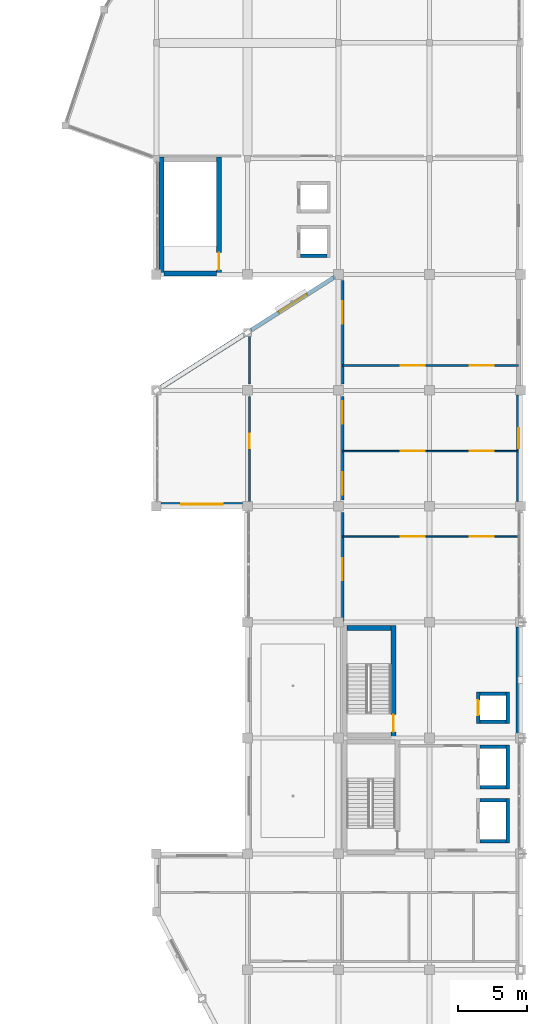
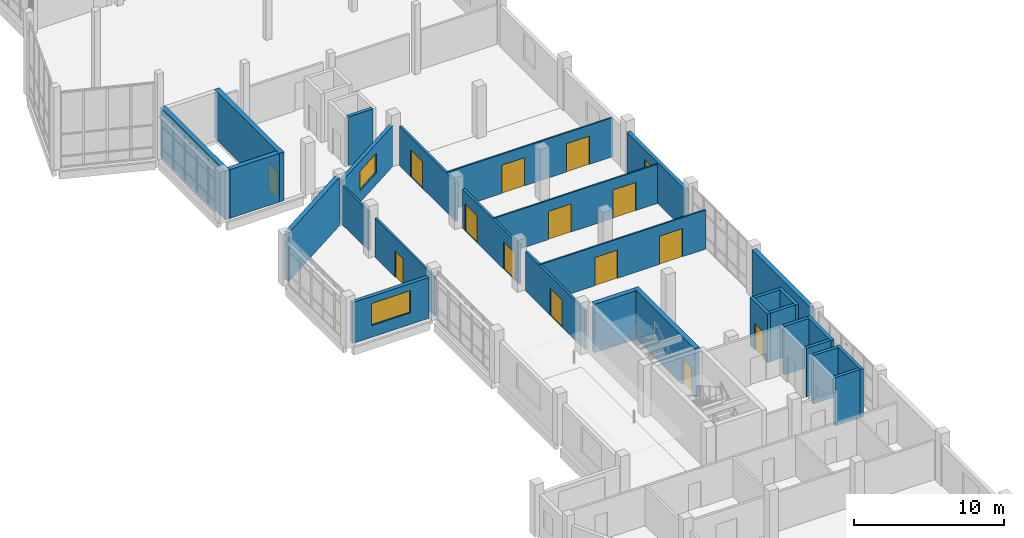
# One storey, part 62 of 78: 29 walls, 14 doors, 3 windows, 17 openings.
"""IFC4 building model written with IfcOpenShell, lengths in metres."""

from ifc_helpers import new_model, si_unit, direction, frame, frame_2d, origin, place, context, subcontext, project, spatial, rectangle, extrude, material, layer, layer_set, type_object, element, fill, save


model = new_model("IFC4")

# Units and contexts
model_context = context("Model", 3, precision=1e-05, world=origin(), true_north=direction((0.0, 1.0)))
body_context = subcontext(model_context, "Body", "Model", "MODEL_VIEW")
ifc_project = project(units=[si_unit("LENGTHUNIT", "METRE"), si_unit("AREAUNIT", "SQUARE_METRE"), si_unit("VOLUMEUNIT", "CUBIC_METRE"), si_unit("PLANEANGLEUNIT", "RADIAN"), si_unit("MASSUNIT", "GRAM", prefix="KILO")], contexts=[model_context])

# Site, building, storey
site_placement = place(None, origin())
site = spatial("IfcSite", under=ifc_project, at=site_placement, CompositionType="ELEMENT")
building_placement = place(site_placement, origin())
building = spatial("IfcBuilding", under=site, at=building_placement, Name="Qaldarim Faculty of Natural and Applied Sciences", CompositionType="ELEMENT")
storey_placement = place(building_placement, frame((0.0, 0.0, 18.60009765625)))
storey = spatial("IfcBuildingStorey", under=building, at=storey_placement, Name="L04", CompositionType="ELEMENT", Elevation=18.60009765625)

# Wall, openings, doors
ifc_material_1 = material(Name="Painted gypsum partition board")
ifc_layer_1 = layer(ifc_material_1, 0.1201171875)
ifc_layer_set_1 = layer_set([ifc_layer_1], Name="Painted gypsum partition board")
wall_type_1 = type_object("IfcWallType", Name="AcousticPartition-120", PredefinedType="PARTITIONING", material=ifc_layer_set_1)
wall_1_placement = place(storey_placement, frame((165.300048828125, 39.800048828125, 0.0), z_axis=(0.0, 0.0, 1.0), x_axis=(1.0, 0.0, 0.0)))
wall_1 = element("IfcWall", 1, at=wall_1_placement, inside=storey, type_object=wall_type_1, Name="Interior partition PRT-L04-V5-SUB-1", PredefinedType="PARTITIONING", context=body_context, shape_type="SweptSolid", body=[
    extrude(rectangle(XDim=12.75, YDim=0.1201171875, at=frame_2d((6.375, 0.0))), origin(), (0.0, 0.0, 1.0), 3.18994140625),
])
opening_1_placement = place(wall_1_placement, frame((4.199951171875, 0.0, 0.0)))
opening_1 = element("IfcOpeningElement", 2, at=opening_1_placement, cuts=wall_1, Name="Opening ID12", PredefinedType="OPENING", context=body_context, shape_type="SweptSolid", body=[
    extrude(rectangle(XDim=1.75, YDim=2.300048828125, at=frame_2d((0.875, 1.14990234375))), frame((0.0, 0.070068359375, 0.0), z_axis=(0.0, -1.0, 0.0), x_axis=(1.0, 0.0, 0.0)), (0.0, 0.0, 1.0), 0.14013671875),
])
opening_2_placement = place(wall_1_placement, frame((9.199951171875, 0.0, 0.0)))
opening_2 = element("IfcOpeningElement", 3, at=opening_2_placement, cuts=wall_1, Name="Opening ID12", PredefinedType="OPENING", context=body_context, shape_type="SweptSolid", body=[
    extrude(rectangle(XDim=1.75, YDim=2.300048828125, at=frame_2d((0.875, 1.14990234375))), frame((0.0, 0.070068359375, 0.0), z_axis=(0.0, -1.0, 0.0), x_axis=(1.0, 0.0, 0.0)), (0.0, 0.0, 1.0), 0.14013671875),
])
ifc_material_2 = material(Name="Architectural stainless steel 316", Category="steel")
door_type_1 = type_object("IfcDoorType", Name="WorkshopDoubleDoor-1750x2300", OperationType="NOTDEFINED", PredefinedType="DOOR", material=ifc_material_2)
door_1_placement = place(opening_1_placement, origin())
door_1 = element("IfcDoor", 4, at=door_1_placement, inside=storey, type_object=door_type_1, Name="Interior door D-L04-338", OperationType="SINGLE_SWING_LEFT", OverallHeight=2.300048828125, OverallWidth=1.75, PredefinedType="DOOR", context=body_context, shape_type="SweptSolid", body=[
    extrude(rectangle(XDim=1.75, YDim=2.300048828125, at=frame_2d((0.875, 1.14990234375))), frame((0.0, 0.02490234375, 0.0), z_axis=(0.0, -1.0, 0.0), x_axis=(1.0, 0.0, 0.0)), (0.0, 0.0, 1.0), 0.050048828125),
])
fill(opening_1, door_1)
door_2_placement = place(opening_2_placement, origin())
door_2 = element("IfcDoor", 5, at=door_2_placement, inside=storey, type_object=door_type_1, Name="Interior door D-L04-339", OperationType="SINGLE_SWING_RIGHT", OverallHeight=2.300048828125, OverallWidth=1.75, PredefinedType="DOOR", context=body_context, shape_type="SweptSolid", body=[
    extrude(rectangle(XDim=1.75, YDim=2.300048828125, at=frame_2d((0.875, 1.14990234375))), frame((0.0, 0.02490234375, 0.0), z_axis=(0.0, -1.0, 0.0), x_axis=(1.0, 0.0, 0.0)), (0.0, 0.0, 1.0), 0.050048828125),
])
fill(opening_2, door_2)

wall_2_placement = place(storey_placement, frame((165.300048828125, 46.0, 0.0), z_axis=(0.0, 0.0, 1.0), x_axis=(1.0, 0.0, 0.0)))
wall_2 = element("IfcWall", 6, at=wall_2_placement, inside=storey, type_object=wall_type_1, Name="Interior partition PRT-L04-V5-SUB-2", PredefinedType="PARTITIONING", context=body_context, shape_type="SweptSolid", body=[
    extrude(rectangle(XDim=12.75, YDim=0.1201171875, at=frame_2d((6.375, 0.0))), origin(), (0.0, 0.0, 1.0), 3.18994140625),
])
opening_3_placement = place(wall_2_placement, frame((4.199951171875, 0.0, 0.0)))
opening_3 = element("IfcOpeningElement", 7, at=opening_3_placement, cuts=wall_2, Name="Opening ID12", PredefinedType="OPENING", context=body_context, shape_type="SweptSolid", body=[
    extrude(rectangle(XDim=1.75, YDim=2.300048828125, at=frame_2d((0.875, 1.14990234375))), frame((0.0, 0.070068359375, 0.0), z_axis=(0.0, -1.0, 0.0), x_axis=(1.0, 0.0, 0.0)), (0.0, 0.0, 1.0), 0.14013671875),
])
opening_4_placement = place(wall_2_placement, frame((9.199951171875, 0.0, 0.0)))
opening_4 = element("IfcOpeningElement", 8, at=opening_4_placement, cuts=wall_2, Name="Opening ID12", PredefinedType="OPENING", context=body_context, shape_type="SweptSolid", body=[
    extrude(rectangle(XDim=1.75, YDim=2.300048828125, at=frame_2d((0.875, 1.14990234375))), frame((0.0, 0.070068359375, 0.0), z_axis=(0.0, -1.0, 0.0), x_axis=(1.0, 0.0, 0.0)), (0.0, 0.0, 1.0), 0.14013671875),
])
door_3_placement = place(opening_3_placement, origin())
door_3 = element("IfcDoor", 9, at=door_3_placement, inside=storey, type_object=door_type_1, Name="Interior door D-L04-340", OperationType="SINGLE_SWING_LEFT", OverallHeight=2.300048828125, OverallWidth=1.75, PredefinedType="DOOR", context=body_context, shape_type="SweptSolid", body=[
    extrude(rectangle(XDim=1.75, YDim=2.300048828125, at=frame_2d((0.875, 1.14990234375))), frame((0.0, 0.02490234375, 0.0), z_axis=(0.0, -1.0, 0.0), x_axis=(1.0, 0.0, 0.0)), (0.0, 0.0, 1.0), 0.050048828125),
])
fill(opening_3, door_3)
door_4_placement = place(opening_4_placement, origin())
door_4 = element("IfcDoor", 10, at=door_4_placement, inside=storey, type_object=door_type_1, Name="Interior door D-L04-341", OperationType="SINGLE_SWING_RIGHT", OverallHeight=2.300048828125, OverallWidth=1.75, PredefinedType="DOOR", context=body_context, shape_type="SweptSolid", body=[
    extrude(rectangle(XDim=1.75, YDim=2.300048828125, at=frame_2d((0.875, 1.14990234375))), frame((0.0, 0.02490234375, 0.0), z_axis=(0.0, -1.0, 0.0), x_axis=(1.0, 0.0, 0.0)), (0.0, 0.0, 1.0), 0.050048828125),
])
fill(opening_4, door_4)

wall_3_placement = place(storey_placement, frame((165.300048828125, 52.199951171875, 0.0), z_axis=(0.0, 0.0, 1.0), x_axis=(1.0, 0.0, 0.0)))
wall_3 = element("IfcWall", 11, at=wall_3_placement, inside=storey, type_object=wall_type_1, Name="Interior partition PRT-L04-V5-SUB-3", PredefinedType="PARTITIONING", context=body_context, shape_type="SweptSolid", body=[
    extrude(rectangle(XDim=12.75, YDim=0.1201171875, at=frame_2d((6.375, 0.0))), origin(), (0.0, 0.0, 1.0), 3.18994140625),
])
opening_5_placement = place(wall_3_placement, frame((4.199951171875, 0.0, 0.0)))
opening_5 = element("IfcOpeningElement", 12, at=opening_5_placement, cuts=wall_3, Name="Opening ID12", PredefinedType="OPENING", context=body_context, shape_type="SweptSolid", body=[
    extrude(rectangle(XDim=1.75, YDim=2.300048828125, at=frame_2d((0.875, 1.14990234375))), frame((0.0, 0.070068359375, 0.0), z_axis=(0.0, -1.0, 0.0), x_axis=(1.0, 0.0, 0.0)), (0.0, 0.0, 1.0), 0.14013671875),
])
opening_6_placement = place(wall_3_placement, frame((9.199951171875, 0.0, 0.0)))
opening_6 = element("IfcOpeningElement", 13, at=opening_6_placement, cuts=wall_3, Name="Opening ID12", PredefinedType="OPENING", context=body_context, shape_type="SweptSolid", body=[
    extrude(rectangle(XDim=1.75, YDim=2.300048828125, at=frame_2d((0.875, 1.14990234375))), frame((0.0, 0.070068359375, 0.0), z_axis=(0.0, -1.0, 0.0), x_axis=(1.0, 0.0, 0.0)), (0.0, 0.0, 1.0), 0.14013671875),
])
door_5_placement = place(opening_5_placement, origin())
door_5 = element("IfcDoor", 14, at=door_5_placement, inside=storey, type_object=door_type_1, Name="Interior door D-L04-342", OperationType="SINGLE_SWING_LEFT", OverallHeight=2.300048828125, OverallWidth=1.75, PredefinedType="DOOR", context=body_context, shape_type="SweptSolid", body=[
    extrude(rectangle(XDim=1.75, YDim=2.300048828125, at=frame_2d((0.875, 1.14990234375))), frame((0.0, 0.02490234375, 0.0), z_axis=(0.0, -1.0, 0.0), x_axis=(1.0, 0.0, 0.0)), (0.0, 0.0, 1.0), 0.050048828125),
])
fill(opening_5, door_5)
door_6_placement = place(opening_6_placement, origin())
door_6 = element("IfcDoor", 15, at=door_6_placement, inside=storey, type_object=door_type_1, Name="Interior door D-L04-343", OperationType="SINGLE_SWING_RIGHT", OverallHeight=2.300048828125, OverallWidth=1.75, PredefinedType="DOOR", context=body_context, shape_type="SweptSolid", body=[
    extrude(rectangle(XDim=1.75, YDim=2.300048828125, at=frame_2d((0.875, 1.14990234375))), frame((0.0, 0.02490234375, 0.0), z_axis=(0.0, -1.0, 0.0), x_axis=(1.0, 0.0, 0.0)), (0.0, 0.0, 1.0), 0.050048828125),
])
fill(opening_6, door_6)

# Wall, opening, door
ifc_material_3 = material(Name="Concrete C50/60", Category="concrete")
ifc_layer_2 = layer(ifc_material_3, 0.360107421875)
ifc_layer_set_2 = layer_set([ifc_layer_2], Name="Concrete C50/60")
wall_type_2 = type_object("IfcWallType", Name="CoreShearWall-360", PredefinedType="SHEAR", material=ifc_layer_set_2)
wall_4_placement = place(storey_placement, frame((168.97998046875, 25.18994140625, 0.0), z_axis=(0.0, 0.0, 1.0), x_axis=(0.0, 1.0, 0.0)))
wall_4 = element("IfcWall", 16, at=wall_4_placement, inside=storey, type_object=wall_type_2, Name="Core stair ST-A2 east shear wall L04", PredefinedType="SHEAR", context=body_context, shape_type="SweptSolid", body=[
    extrude(rectangle(XDim=8.170166015625, YDim=0.360107421875, at=frame_2d((4.0849609375, 0.0))), origin(), (0.0, 0.0, 1.0), 3.93994140625),
])
opening_7_placement = place(wall_4_placement, frame((0.449951171875, 0.0, 0.0)))
opening_7 = element("IfcOpeningElement", 17, at=opening_7_placement, cuts=wall_4, Name="Opening ID04", PredefinedType="OPENING", context=body_context, shape_type="SweptSolid", body=[
    extrude(rectangle(XDim=1.25, YDim=2.14990234375, at=frame_2d((0.625, 1.074951171875))), frame((0.0, 0.18994140625, 0.0), z_axis=(0.0, -1.0, 0.0), x_axis=(1.0, 0.0, 0.0)), (0.0, 0.0, 1.0), 0.380126953125),
])
door_type_2 = type_object("IfcDoorType", Name="StairEnclosureFireDoor-1250x2150", OperationType="NOTDEFINED", PredefinedType="DOOR", material=ifc_material_2)
door_7_placement = place(opening_7_placement, origin())
door_7 = element("IfcDoor", 18, at=door_7_placement, inside=storey, type_object=door_type_2, Name="Protected stair ST-A2 fire door D-L04-518", OperationType="SINGLE_SWING_RIGHT", OverallHeight=2.14990234375, OverallWidth=1.25, PredefinedType="DOOR", context=body_context, shape_type="SweptSolid", body=[
    extrude(rectangle(XDim=1.25, YDim=2.14990234375, at=frame_2d((0.625, 1.074951171875))), frame((0.0, 0.02490234375, 0.0), z_axis=(0.0, -1.0, 0.0), x_axis=(1.0, 0.0, 0.0)), (0.0, 0.0, 1.0), 0.050048828125),
])
fill(opening_7, door_7)

# Walls
wall_5_placement = place(storey_placement, frame((165.60009765625, 33.179931640625, 0.0), z_axis=(0.0, 0.0, 1.0), x_axis=(1.0, 0.0, 0.0)))
element("IfcWall", 19, at=wall_5_placement, inside=storey, type_object=wall_type_2, Name="Core stair ST-A2 north shear wall L04", PredefinedType="SHEAR", context=body_context, shape_type="SweptSolid", body=[
    extrude(rectangle(XDim=3.199951171875, YDim=0.360107421875, at=frame_2d((1.60009765625, 0.0))), origin(), (0.0, 0.0, 1.0), 3.93994140625),
])
wall_6_placement = place(storey_placement, frame((152.169921875, 58.68994140625, 0.0), z_axis=(0.0, 0.0, 1.0), x_axis=(0.0, 1.0, 0.0)))
element("IfcWall", 20, at=wall_6_placement, inside=storey, type_object=wall_type_2, Name="Core stair ST-C1 west shear wall L04", PredefinedType="SHEAR", context=body_context, shape_type="SweptSolid", body=[
    extrude(rectangle(XDim=8.6201171875, YDim=0.360107421875, at=frame_2d((4.31005859375, 0.0))), origin(), (0.0, 0.0, 1.0), 3.9599609375),
])

# Wall, opening, door
wall_7_placement = place(storey_placement, frame((156.330078125, 58.68994140625, 0.0), z_axis=(0.0, 0.0, 1.0), x_axis=(0.0, 1.0, 0.0)))
wall_7 = element("IfcWall", 21, at=wall_7_placement, inside=storey, type_object=wall_type_2, Name="Core stair ST-C1 east shear wall L04", PredefinedType="SHEAR", context=body_context, shape_type="SweptSolid", body=[
    extrude(rectangle(XDim=8.6201171875, YDim=0.360107421875, at=frame_2d((4.31005859375, 0.0))), origin(), (0.0, 0.0, 1.0), 3.9599609375),
])
opening_8_placement = place(wall_7_placement, frame((0.449951171875, 0.0, 0.0)))
opening_8 = element("IfcOpeningElement", 22, at=opening_8_placement, cuts=wall_7, Name="Opening ID04", PredefinedType="OPENING", context=body_context, shape_type="SweptSolid", body=[
    extrude(rectangle(XDim=1.25, YDim=2.14990234375, at=frame_2d((0.625, 1.074951171875))), frame((0.0, 0.18994140625, 0.0), z_axis=(0.0, -1.0, 0.0), x_axis=(1.0, 0.0, 0.0)), (0.0, 0.0, 1.0), 0.380126953125),
])
door_8_placement = place(opening_8_placement, origin())
door_8 = element("IfcDoor", 23, at=door_8_placement, inside=storey, type_object=door_type_2, Name="Protected stair ST-C1 fire door D-L04-543", OperationType="SINGLE_SWING_RIGHT", OverallHeight=2.14990234375, OverallWidth=1.25, PredefinedType="DOOR", context=body_context, shape_type="SweptSolid", body=[
    extrude(rectangle(XDim=1.25, YDim=2.14990234375, at=frame_2d((0.625, 1.074951171875))), frame((0.0, 0.02490234375, 0.0), z_axis=(0.0, -1.0, 0.0), x_axis=(1.0, 0.0, 0.0)), (0.0, 0.0, 1.0), 0.050048828125),
])
fill(opening_8, door_8)

# Wall
wall_8_placement = place(storey_placement, frame((152.35009765625, 58.8701171875, 0.0), z_axis=(0.0, 0.0, 1.0), x_axis=(1.0, 0.0, 0.0)))
element("IfcWall", 24, at=wall_8_placement, inside=storey, type_object=wall_type_2, Name="Core stair ST-C1 south shear wall L04", PredefinedType="SHEAR", context=body_context, shape_type="SweptSolid", body=[
    extrude(rectangle(XDim=3.7998046875, YDim=0.360107421875, at=frame_2d((1.89990234375, 0.0))), origin(), (0.0, 0.0, 1.0), 3.9599609375),
])

# Wall, opening, window
ifc_material_4 = material(Name="Precast concrete C40/50", Category="concrete")
ifc_layer_3 = layer(ifc_material_4, 0.280029296875)
ifc_layer_set_3 = layer_set([ifc_layer_3], Name="Precast concrete C40/50")
wall_type_3 = type_object("IfcWallType", Name="ExteriorSpandrelWall-280", PredefinedType="SOLIDWALL", material=ifc_layer_set_3)
wall_9_placement = place(storey_placement, frame((152.14501953125, 42.139892578125, 0.0), z_axis=(0.0, 0.0, 1.0), x_axis=(1.0, 0.0, 0.0)))
wall_9 = element("IfcWall", 25, at=wall_9_placement, inside=storey, type_object=wall_type_3, Name="Exterior wall EW02 L04 S X24Y06", PredefinedType="SOLIDWALL", context=body_context, shape_type="SweptSolid", body=[
    extrude(rectangle(XDim=5.909912109375, YDim=0.280029296875, at=frame_2d((2.955078125, 0.0))), origin(), (0.0, 0.0, 1.0), 3.324951171875),
])
opening_9_placement = place(wall_9_placement, frame((1.455078125, 0.0, 0.949951171875)))
opening_9 = element("IfcOpeningElement", 26, at=opening_9_placement, cuts=wall_9, Name="Opening WN04", PredefinedType="OPENING", context=body_context, shape_type="SweptSolid", body=[
    extrude(rectangle(XDim=3.0, YDim=1.800048828125, at=frame_2d((1.5, 0.89990234375))), frame((0.0, 0.14990234375, 0.0), z_axis=(0.0, -1.0, 0.0), x_axis=(1.0, 0.0, 0.0)), (0.0, 0.0, 1.0), 0.300048828125),
])
ifc_material_5 = material(Name="Insulated low-e double glazing", Category="glass")
window_type_1 = type_object("IfcWindowType", Name="Window-3000x1800", PartitioningType="TRIPLE_PANEL_VERTICAL", PredefinedType="WINDOW", material=ifc_material_5)
window_1_placement = place(opening_9_placement, origin())
window_1 = element("IfcWindow", 27, at=window_1_placement, inside=storey, type_object=window_type_1, Name="Facade window WN04 L04 S X24Y06", OverallHeight=1.800048828125, OverallWidth=3.0, PartitioningType="SINGLE_PANEL", PredefinedType="WINDOW", context=body_context, shape_type="SweptSolid", body=[
    extrude(rectangle(XDim=3.0, YDim=1.800048828125, at=frame_2d((1.5, 0.89990234375))), frame((0.0, 0.030029296875, 0.0), z_axis=(0.0, -1.0, 0.0), x_axis=(1.0, 0.0, 0.0)), (0.0, 0.0, 1.0), 0.06005859375),
])
fill(opening_9, window_1)

wall_10_placement = place(storey_placement, frame((178.06005859375, 42.344970703125, 0.0), z_axis=(0.0, 0.0, 1.0), x_axis=(0.0, 1.0, 0.0)))
wall_10 = element("IfcWall", 28, at=wall_10_placement, inside=storey, type_object=wall_type_3, Name="Exterior wall EW02 L04 E X27Y06", PredefinedType="SOLIDWALL", context=body_context, shape_type="SweptSolid", body=[
    extrude(rectangle(XDim=7.7099609375, YDim=0.280029296875, at=frame_2d((3.85498046875, 0.0))), origin(), (0.0, 0.0, 1.0), 3.324951171875),
])
opening_10_placement = place(wall_10_placement, frame((3.875, 0.0, 0.949951171875)))
opening_10 = element("IfcOpeningElement", 29, at=opening_10_placement, cuts=wall_10, Name="Opening WN32", PredefinedType="OPENING", context=body_context, shape_type="SweptSolid", body=[
    extrude(rectangle(XDim=1.449951171875, YDim=1.60009765625, at=frame_2d((0.72509765625, 0.800048828125))), frame((0.0, 0.14990234375, 0.0), z_axis=(0.0, -1.0, 0.0), x_axis=(1.0, 0.0, 0.0)), (0.0, 0.0, 1.0), 0.300048828125),
])
window_type_2 = type_object("IfcWindowType", Name="SeminarWindow-1450x1600", PartitioningType="DOUBLE_PANEL_VERTICAL", PredefinedType="WINDOW", material=ifc_material_5)
window_2_placement = place(opening_10_placement, origin())
window_2 = element("IfcWindow", 30, at=window_2_placement, inside=storey, type_object=window_type_2, Name="Facade window WN32 L04 E X27Y06", OverallHeight=1.60009765625, OverallWidth=1.449951171875, PartitioningType="SINGLE_PANEL", PredefinedType="WINDOW", context=body_context, shape_type="SweptSolid", body=[
    extrude(rectangle(XDim=1.449951171875, YDim=1.60009765625, at=frame_2d((0.72509765625, 0.800048828125))), frame((0.0, 0.030029296875, 0.0), z_axis=(0.0, -1.0, 0.0), x_axis=(1.0, 0.0, 0.0)), (0.0, 0.0, 1.0), 0.06005859375),
])
fill(opening_10, window_2)

wall_11_placement = place(storey_placement, frame((158.64990234375, 54.760009765625, 0.0), z_axis=(0.0, 0.0, 1.0), x_axis=(0.843786613851, 0.536678814829, 0.0)))
wall_11 = element("IfcWall", 31, at=wall_11_placement, inside=storey, type_object=wall_type_3, Name="Oblique NW chamfer fenestrated wall L04 2", PredefinedType="SOLIDWALL", context=body_context, shape_type="SweptSolid", body=[
    extrude(rectangle(XDim=7.2294921875, YDim=0.280029296875, at=frame_2d((3.61474609375, 0.0))), origin(), (0.0, 0.0, 1.0), 3.324951171875),
])
opening_11_placement = place(wall_11_placement, frame((2.4150390625, 0.0, 0.949951171875)))
opening_11 = element("IfcOpeningElement", 32, at=opening_11_placement, cuts=wall_11, Name="Opening WN03", PredefinedType="OPENING", context=body_context, shape_type="SweptSolid", body=[
    extrude(rectangle(XDim=2.39990234375, YDim=1.60009765625, at=frame_2d((1.199951171875, 0.800048828125))), frame((0.0, 0.14990234375, 0.0), z_axis=(0.0, -1.0, 0.0), x_axis=(1.0, 0.0, 0.0)), (0.0, 0.0, 1.0), 0.300048828125),
])
window_type_3 = type_object("IfcWindowType", Name="Window-2400x1600", PartitioningType="TRIPLE_PANEL_VERTICAL", PredefinedType="WINDOW", material=ifc_material_5)
window_3_placement = place(opening_11_placement, origin())
window_3 = element("IfcWindow", 33, at=window_3_placement, inside=storey, type_object=window_type_3, Name="Oblique NW chamfer window L04 2", OverallHeight=1.60009765625, OverallWidth=2.39990234375, PartitioningType="SINGLE_PANEL", PredefinedType="WINDOW", context=body_context, shape_type="SweptSolid", body=[
    extrude(rectangle(XDim=2.39990234375, YDim=1.60009765625, at=frame_2d((1.199951171875, 0.800048828125))), frame((0.0, 0.030029296875, 0.0), z_axis=(0.0, -1.0, 0.0), x_axis=(1.0, 0.0, 0.0)), (0.0, 0.0, 1.0), 0.06005859375),
])
fill(opening_11, window_3)

# Walls
ifc_layer_4 = layer(ifc_material_3, 0.340087890625)
ifc_layer_set_4 = layer_set([ifc_layer_4], Name="Concrete C50/60")
wall_type_4 = type_object("IfcWallType", Name="ExteriorStairShearWall-340", PredefinedType="SHEAR", material=ifc_layer_set_4)
wall_12_placement = place(storey_placement, frame((178.030029296875, 25.544921875, 0.0), z_axis=(0.0, 0.0, 1.0), x_axis=(0.0, 1.0, 0.0)))
element("IfcWall", 34, at=wall_12_placement, inside=storey, type_object=wall_type_4, Name="Exterior wall EW05 L04 E X27Y04", PredefinedType="SHEAR", context=body_context, shape_type="SweptSolid", body=[
    extrude(rectangle(XDim=7.7099609375, YDim=0.340087890625, at=frame_2d((3.85498046875, 0.0))), origin(), (0.0, 0.0, 1.0), 3.93994140625),
])
wall_13_placement = place(storey_placement, frame((152.050048828125, 50.56005859375, 0.0), z_axis=(0.0, 0.0, 1.0), x_axis=(0.843776886751, 0.536694107835, 0.0)))
element("IfcWall", 35, at=wall_13_placement, inside=storey, type_object=wall_type_4, Name="Oblique NW chamfer braced wall L04 1", PredefinedType="SHEAR", context=body_context, shape_type="SweptSolid", body=[
    extrude(rectangle(XDim=7.229248046875, YDim=0.340087890625, at=frame_2d((3.61474609375, 0.0))), origin(), (0.0, 0.0, 1.0), 3.93994140625),
])

# Wall, opening, door
ifc_material_6 = material(Name="Concrete C40/50", Category="concrete")
ifc_layer_5 = layer(ifc_material_6, 0.159912109375)
ifc_layer_set_5 = layer_set([ifc_layer_5], Name="Concrete C40/50")
wall_type_5 = type_object("IfcWallType", Name="FireCorridorWall-160", PredefinedType="PARTITIONING", material=ifc_layer_set_5)
wall_14_placement = place(storey_placement, frame((158.550048828125, 42.0, 0.0), z_axis=(0.0, 0.0, 1.0), x_axis=(0.0, 1.0, 0.0)))
wall_14 = element("IfcWall", 36, at=wall_14_placement, inside=storey, type_object=wall_type_5, Name="Interior partition PRT-L04-V5-NWSE-S1", PredefinedType="PARTITIONING", context=body_context, shape_type="SweptSolid", body=[
    extrude(rectangle(XDim=7.949951171875, YDim=0.159912109375, at=frame_2d((3.97509765625, 0.0))), origin(), (0.0, 0.0, 1.0), 3.18994140625),
])
opening_12_placement = place(wall_14_placement, frame((4.199951171875, 0.0, 0.0)))
opening_12 = element("IfcOpeningElement", 37, at=opening_12_placement, cuts=wall_14, Name="Opening ID02", PredefinedType="OPENING", context=body_context, shape_type="SweptSolid", body=[
    extrude(rectangle(XDim=1.050048828125, YDim=2.14990234375, at=frame_2d((0.52490234375, 1.074951171875))), frame((0.0, 0.08984375, 0.0), z_axis=(0.0, -1.0, 0.0), x_axis=(1.0, 0.0, 0.0)), (0.0, 0.0, 1.0), 0.179931640625),
])
ifc_material_7 = material(Name="Oak hardwood", Category="wood")
door_type_3 = type_object("IfcDoorType", Name="AccessibleRoomDoor-1050x2150", OperationType="NOTDEFINED", PredefinedType="DOOR", material=ifc_material_7)
door_9_placement = place(opening_12_placement, origin())
door_9 = element("IfcDoor", 38, at=door_9_placement, inside=storey, type_object=door_type_3, Name="Interior door D-L04-399", OperationType="SINGLE_SWING_LEFT", OverallHeight=2.14990234375, OverallWidth=1.050048828125, PredefinedType="DOOR", context=body_context, shape_type="SweptSolid", body=[
    extrude(rectangle(XDim=1.050048828125, YDim=2.14990234375, at=frame_2d((0.52490234375, 1.074951171875))), frame((0.0, 0.02490234375, 0.0), z_axis=(0.0, -1.0, 0.0), x_axis=(1.0, 0.0, 0.0)), (0.0, 0.0, 1.0), 0.050048828125),
])
fill(opening_12, door_9)

# Wall
wall_15_placement = place(storey_placement, frame((158.550048828125, 50.85009765625, 0.0), z_axis=(0.0, 0.0, 1.0), x_axis=(0.0, 1.0, 0.0)))
element("IfcWall", 39, at=wall_15_placement, inside=storey, type_object=wall_type_5, Name="Interior partition PRT-L04-V5-NWSE-S2", PredefinedType="PARTITIONING", context=body_context, shape_type="SweptSolid", body=[
    extrude(rectangle(XDim=3.7998046875, YDim=0.159912109375, at=frame_2d((1.89990234375, 0.0))), origin(), (0.0, 0.0, 1.0), 3.18994140625),
])

# Wall, opening, door
ifc_layer_6 = layer(ifc_material_6, 0.179931640625)
ifc_layer_set_6 = layer_set([ifc_layer_6], Name="Concrete C40/50")
wall_type_6 = type_object("IfcWallType", Name="LabFireCompartmentWall-180", PredefinedType="SOLIDWALL", material=ifc_layer_set_6)
wall_16_placement = place(storey_placement, frame((165.300048828125, 33.64990234375, 0.0), z_axis=(0.0, 0.0, 1.0), x_axis=(0.0, 1.0, 0.0)))
wall_16 = element("IfcWall", 40, at=wall_16_placement, inside=storey, type_object=wall_type_6, Name="Interior partition PRT-L04-V5-NANW-S1", PredefinedType="SOLIDWALL", context=body_context, shape_type="SweptSolid", body=[
    extrude(rectangle(XDim=7.900146484375, YDim=0.179931640625, at=frame_2d((3.9501953125, 0.0))), origin(), (0.0, 0.0, 1.0), 3.18994140625),
])
opening_13_placement = place(wall_16_placement, frame((3.0, 0.0, 0.0)))
opening_13 = element("IfcOpeningElement", 41, at=opening_13_placement, cuts=wall_16, Name="Opening ID06", PredefinedType="OPENING", context=body_context, shape_type="SweptSolid", body=[
    extrude(rectangle(XDim=1.60009765625, YDim=2.199951171875, at=frame_2d((0.800048828125, 1.10009765625))), frame((0.0, 0.099853515625, 0.0), z_axis=(0.0, -1.0, 0.0), x_axis=(1.0, 0.0, 0.0)), (0.0, 0.0, 1.0), 0.199951171875),
])
door_type_4 = type_object("IfcDoorType", Name="LabEquipmentDoubleDoor-1600x2200", OperationType="NOTDEFINED", PredefinedType="DOOR", material=ifc_material_2)
door_10_placement = place(opening_13_placement, origin())
door_10 = element("IfcDoor", 42, at=door_10_placement, inside=storey, type_object=door_type_4, Name="Interior door D-L04-251", OperationType="DOUBLE_DOOR_SINGLE_SWING", OverallHeight=2.199951171875, OverallWidth=1.60009765625, PredefinedType="DOOR", context=body_context, shape_type="SweptSolid", body=[
    extrude(rectangle(XDim=1.60009765625, YDim=2.199951171875, at=frame_2d((0.800048828125, 1.10009765625))), frame((0.0, 0.02490234375, 0.0), z_axis=(0.0, -1.0, 0.0), x_axis=(1.0, 0.0, 0.0)), (0.0, 0.0, 1.0), 0.050048828125),
])
fill(opening_13, door_10)

# Wall, openings, doors
wall_17_placement = place(storey_placement, frame((165.300048828125, 42.449951171875, 0.0), z_axis=(0.0, 0.0, 1.0), x_axis=(0.0, 1.0, 0.0)))
wall_17 = element("IfcWall", 43, at=wall_17_placement, inside=storey, type_object=wall_type_6, Name="Interior partition PRT-L04-V5-NANW-S2", PredefinedType="SOLIDWALL", context=body_context, shape_type="SweptSolid", body=[
    extrude(rectangle(XDim=7.5, YDim=0.179931640625, at=frame_2d((3.75, 0.0))), origin(), (0.0, 0.0, 1.0), 3.18994140625),
])
opening_14_placement = place(wall_17_placement, frame((0.39990234375, 0.0, 0.0)))
opening_14 = element("IfcOpeningElement", 44, at=opening_14_placement, cuts=wall_17, Name="Opening ID06", PredefinedType="OPENING", context=body_context, shape_type="SweptSolid", body=[
    extrude(rectangle(XDim=1.60009765625, YDim=2.199951171875, at=frame_2d((0.800048828125, 1.10009765625))), frame((0.0, 0.099853515625, 0.0), z_axis=(0.0, -1.0, 0.0), x_axis=(1.0, 0.0, 0.0)), (0.0, 0.0, 1.0), 0.199951171875),
])
opening_15_placement = place(wall_17_placement, frame((5.550048828125, 0.0, 0.0)))
opening_15 = element("IfcOpeningElement", 45, at=opening_15_placement, cuts=wall_17, Name="Opening ID06", PredefinedType="OPENING", context=body_context, shape_type="SweptSolid", body=[
    extrude(rectangle(XDim=1.60009765625, YDim=2.199951171875, at=frame_2d((0.800048828125, 1.10009765625))), frame((0.0, 0.099853515625, 0.0), z_axis=(0.0, -1.0, 0.0), x_axis=(1.0, 0.0, 0.0)), (0.0, 0.0, 1.0), 0.199951171875),
])
door_11_placement = place(opening_14_placement, origin())
door_11 = element("IfcDoor", 46, at=door_11_placement, inside=storey, type_object=door_type_4, Name="Interior door D-L04-252", OperationType="DOUBLE_DOOR_SINGLE_SWING", OverallHeight=2.199951171875, OverallWidth=1.60009765625, PredefinedType="DOOR", context=body_context, shape_type="SweptSolid", body=[
    extrude(rectangle(XDim=1.60009765625, YDim=2.199951171875, at=frame_2d((0.800048828125, 1.10009765625))), frame((0.0, 0.02490234375, 0.0), z_axis=(0.0, -1.0, 0.0), x_axis=(1.0, 0.0, 0.0)), (0.0, 0.0, 1.0), 0.050048828125),
])
fill(opening_14, door_11)
door_12_placement = place(opening_15_placement, origin())
door_12 = element("IfcDoor", 47, at=door_12_placement, inside=storey, type_object=door_type_4, Name="Interior door D-L04-253", OperationType="DOUBLE_DOOR_SINGLE_SWING", OverallHeight=2.199951171875, OverallWidth=1.60009765625, PredefinedType="DOOR", context=body_context, shape_type="SweptSolid", body=[
    extrude(rectangle(XDim=1.60009765625, YDim=2.199951171875, at=frame_2d((0.800048828125, 1.10009765625))), frame((0.0, 0.02490234375, 0.0), z_axis=(0.0, -1.0, 0.0), x_axis=(1.0, 0.0, 0.0)), (0.0, 0.0, 1.0), 0.050048828125),
])
fill(opening_15, door_12)

# Wall, opening, door
wall_18_placement = place(storey_placement, frame((165.300048828125, 50.85009765625, 0.0), z_axis=(0.0, 0.0, 1.0), x_axis=(0.0, 1.0, 0.0)))
wall_18 = element("IfcWall", 48, at=wall_18_placement, inside=storey, type_object=wall_type_6, Name="Interior partition PRT-L04-V5-NANW-S3", PredefinedType="SOLIDWALL", context=body_context, shape_type="SweptSolid", body=[
    extrude(rectangle(XDim=7.52978515625, YDim=0.179931640625, at=frame_2d((3.764892578125, 0.0))), origin(), (0.0, 0.0, 1.0), 3.18994140625),
])
opening_16_placement = place(wall_18_placement, frame((4.39990234375, 0.0, 0.0)))
opening_16 = element("IfcOpeningElement", 49, at=opening_16_placement, cuts=wall_18, Name="Opening ID06", PredefinedType="OPENING", context=body_context, shape_type="SweptSolid", body=[
    extrude(rectangle(XDim=1.60009765625, YDim=2.199951171875, at=frame_2d((0.800048828125, 1.10009765625))), frame((0.0, 0.099853515625, 0.0), z_axis=(0.0, -1.0, 0.0), x_axis=(1.0, 0.0, 0.0)), (0.0, 0.0, 1.0), 0.199951171875),
])
door_13_placement = place(opening_16_placement, origin())
door_13 = element("IfcDoor", 50, at=door_13_placement, inside=storey, type_object=door_type_4, Name="Interior door D-L04-254", OperationType="DOUBLE_DOOR_SINGLE_SWING", OverallHeight=2.199951171875, OverallWidth=1.60009765625, PredefinedType="DOOR", context=body_context, shape_type="SweptSolid", body=[
    extrude(rectangle(XDim=1.60009765625, YDim=2.199951171875, at=frame_2d((0.800048828125, 1.10009765625))), frame((0.0, 0.02490234375, 0.0), z_axis=(0.0, -1.0, 0.0), x_axis=(1.0, 0.0, 0.0)), (0.0, 0.0, 1.0), 0.050048828125),
])
fill(opening_16, door_13)

# Walls
ifc_layer_7 = layer(ifc_material_6, 0.25)
ifc_layer_set_7 = layer_set([ifc_layer_7], Name="Concrete C40/50")
wall_type_7 = type_object("IfcWallType", Name="LiftShaftWall-250", PredefinedType="SHEAR", material=ifc_layer_set_7)
wall_19_placement = place(storey_placement, frame((177.27490234375, 17.60009765625, 0.0), z_axis=(0.0, 0.0, 1.0), x_axis=(0.0, 1.0, 0.0)))
element("IfcWall", 51, at=wall_19_placement, inside=storey, type_object=wall_type_7, Name="Lift LF-A1 rear shaft wall L04", PredefinedType="SHEAR", context=body_context, shape_type="SweptSolid", body=[
    extrude(rectangle(XDim=3.199951171875, YDim=0.25, at=frame_2d((1.60009765625, 0.0))), origin(), (0.0, 0.0, 1.0), 3.93994140625),
])
for number, where, z_axis, x_axis, name in (
    (52, (175.25, 17.72509765625, 0.0), (0.0, 0.0, 1.0), (1.0, 0.0, 0.0), "Lift LF-A1 south shaft wall L04"),
    (53, (175.25, 20.675048828125, 0.0), (0.0, 0.0, 1.0), (1.0, 0.0, 0.0), "Lift LF-A1 north shaft wall L04"),
):
    element("IfcWall", number, at=place(storey_placement, frame(where, z_axis=z_axis, x_axis=x_axis)), inside=storey, type_object=wall_type_7, Name=name, PredefinedType="SHEAR", context=body_context, shape_type="SweptSolid", body=[
        extrude(rectangle(XDim=1.89990234375, YDim=0.25, at=frame_2d((0.949951171875, 0.0))), origin(), (0.0, 0.0, 1.0), 3.93994140625),
    ])
wall_20_placement = place(storey_placement, frame((177.27490234375, 21.5, 0.0), z_axis=(0.0, 0.0, 1.0), x_axis=(0.0, 1.0, 0.0)))
element("IfcWall", 54, at=wall_20_placement, inside=storey, type_object=wall_type_7, Name="Lift LF-A2 rear shaft wall L04", PredefinedType="SHEAR", context=body_context, shape_type="SweptSolid", body=[
    extrude(rectangle(XDim=3.199951171875, YDim=0.25, at=frame_2d((1.60009765625, 0.0))), origin(), (0.0, 0.0, 1.0), 3.93994140625),
])
for number, where, z_axis, x_axis, name in (
    (55, (175.25, 21.625, 0.0), (0.0, 0.0, 1.0), (1.0, 0.0, 0.0), "Lift LF-A2 south shaft wall L04"),
    (56, (175.25, 24.574951171875, 0.0), (0.0, 0.0, 1.0), (1.0, 0.0, 0.0), "Lift LF-A2 north shaft wall L04"),
):
    element("IfcWall", number, at=place(storey_placement, frame(where, z_axis=z_axis, x_axis=x_axis)), inside=storey, type_object=wall_type_7, Name=name, PredefinedType="SHEAR", context=body_context, shape_type="SweptSolid", body=[
        extrude(rectangle(XDim=1.89990234375, YDim=0.25, at=frame_2d((0.949951171875, 0.0))), origin(), (0.0, 0.0, 1.0), 3.93994140625),
    ])

# Wall, opening, door
wall_21_placement = place(storey_placement, frame((175.125, 26.25, 0.0), z_axis=(0.0, 0.0, 1.0), x_axis=(0.0, 1.0, 0.0)))
wall_21 = element("IfcWall", 57, at=wall_21_placement, inside=storey, type_object=wall_type_7, Name="Lift LF-A3 front shaft wall L04", PredefinedType="SHEAR", context=body_context, shape_type="SweptSolid", body=[
    extrude(rectangle(XDim=2.300048828125, YDim=0.25, at=frame_2d((1.14990234375, 0.0))), origin(), (0.0, 0.0, 1.0), 3.93994140625),
])
opening_17_placement = place(wall_21_placement, frame((0.60009765625, 0.0, 0.0)))
opening_17 = element("IfcOpeningElement", 58, at=opening_17_placement, cuts=wall_21, Name="Opening LD01", PredefinedType="OPENING", context=body_context, shape_type="SweptSolid", body=[
    extrude(rectangle(XDim=1.10009765625, YDim=2.14990234375, at=frame_2d((0.550048828125, 1.074951171875))), frame((0.0, 0.135009765625, 0.0), z_axis=(0.0, -1.0, 0.0), x_axis=(1.0, 0.0, 0.0)), (0.0, 0.0, 1.0), 0.27001953125),
])
door_type_5 = type_object("IfcDoorType", Name="LiftLandingSlidingDoor-1100x2150", OperationType="NOTDEFINED", PredefinedType="DOOR", material=ifc_material_2)
door_14_placement = place(opening_17_placement, origin())
door_14 = element("IfcDoor", 59, at=door_14_placement, inside=storey, type_object=door_type_5, Name="Lift landing sliding door LF-A3 D-L04-588", OperationType="SLIDING_TO_LEFT", OverallHeight=2.14990234375, OverallWidth=1.10009765625, PredefinedType="DOOR", context=body_context, shape_type="SweptSolid", body=[
    extrude(rectangle(XDim=1.10009765625, YDim=2.14990234375, at=frame_2d((0.550048828125, 1.074951171875))), frame((0.0, 0.02490234375, 0.0), z_axis=(0.0, -1.0, 0.0), x_axis=(1.0, 0.0, 0.0)), (0.0, 0.0, 1.0), 0.050048828125),
])
fill(opening_17, door_14)

# Walls
wall_22_placement = place(storey_placement, frame((177.27490234375, 26.25, 0.0), z_axis=(0.0, 0.0, 1.0), x_axis=(0.0, 1.0, 0.0)))
element("IfcWall", 60, at=wall_22_placement, inside=storey, type_object=wall_type_7, Name="Lift LF-A3 rear shaft wall L04", PredefinedType="SHEAR", context=body_context, shape_type="SweptSolid", body=[
    extrude(rectangle(XDim=2.300048828125, YDim=0.25, at=frame_2d((1.14990234375, 0.0))), origin(), (0.0, 0.0, 1.0), 3.93994140625),
])
for number, where, z_axis, x_axis, name in (
    (61, (175.25, 26.375, 0.0), (0.0, 0.0, 1.0), (1.0, 0.0, 0.0), "Lift LF-A3 south shaft wall L04"),
    (62, (175.25, 28.425048828125, 0.0), (0.0, 0.0, 1.0), (1.0, 0.0, 0.0), "Lift LF-A3 north shaft wall L04"),
):
    element("IfcWall", number, at=place(storey_placement, frame(where, z_axis=z_axis, x_axis=x_axis)), inside=storey, type_object=wall_type_7, Name=name, PredefinedType="SHEAR", context=body_context, shape_type="SweptSolid", body=[
        extrude(rectangle(XDim=1.89990234375, YDim=0.25, at=frame_2d((0.949951171875, 0.0))), origin(), (0.0, 0.0, 1.0), 3.93994140625),
    ])
wall_23_placement = place(storey_placement, frame((162.25, 60.175048828125, 0.0), z_axis=(0.0, 0.0, 1.0), x_axis=(1.0, 0.0, 0.0)))
element("IfcWall", 63, at=wall_23_placement, inside=storey, type_object=wall_type_7, Name="Lift LF-C1 south shaft wall L04", PredefinedType="SHEAR", context=body_context, shape_type="SweptSolid", body=[
    extrude(rectangle(XDim=1.89990234375, YDim=0.25, at=frame_2d((0.949951171875, 0.0))), origin(), (0.0, 0.0, 1.0), 3.9599609375),
])

save(model, "model.ifc")
